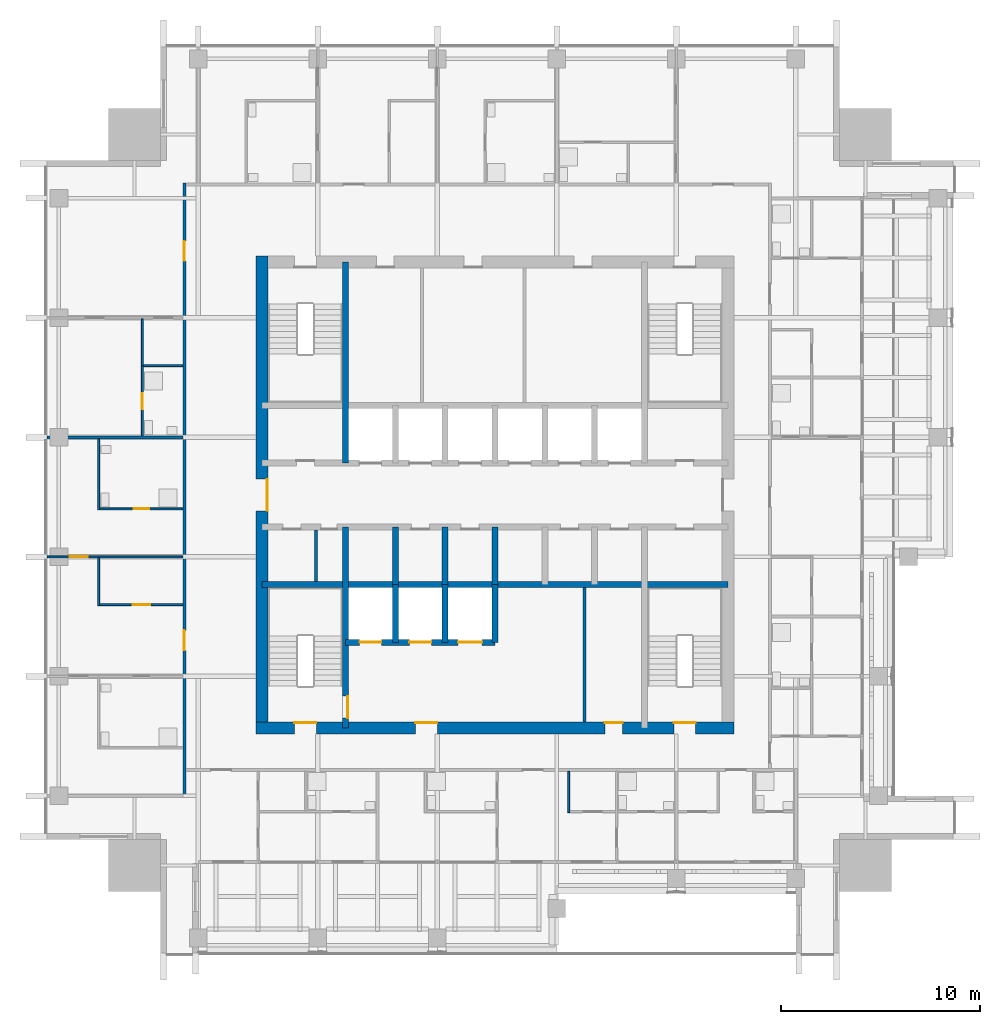
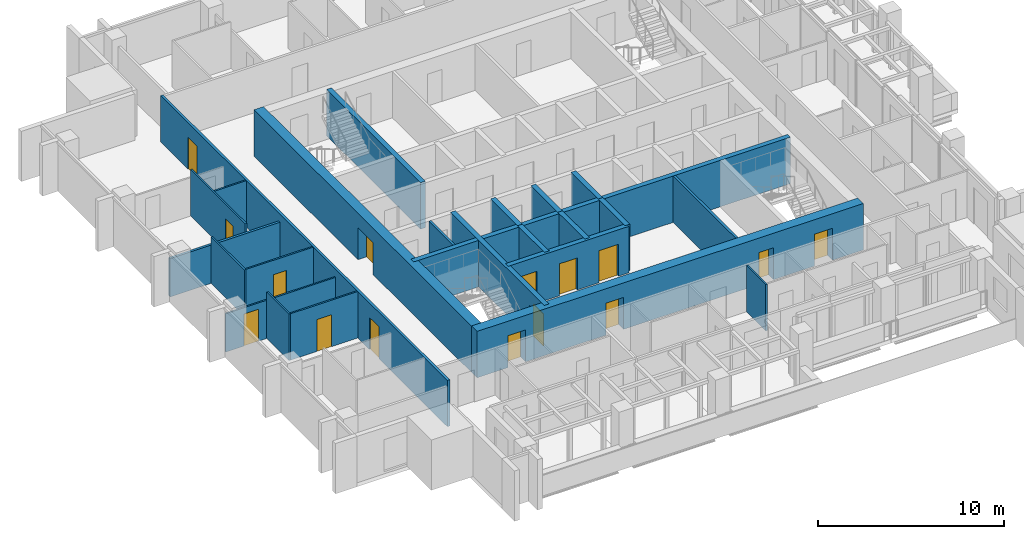
# One storey, part 9 of 17: 24 walls, 15 doors, 15 openings.
"""IFC4 building model written with IfcOpenShell, lengths in metres."""

from ifc_helpers import new_model, si_unit, direction, frame, frame_2d, origin, place, context, subcontext, project, spatial, rectangle, extrude, material, layer, layer_set, type_object, element, fill, save


model = new_model("IFC4")

# Units and contexts
model_context = context("Model", 3, precision=1e-05, world=origin(), true_north=direction((0.0, 1.0)))
body_context = subcontext(model_context, "Body", "Model", "MODEL_VIEW")
ifc_project = project(units=[si_unit("LENGTHUNIT", "METRE"), si_unit("AREAUNIT", "SQUARE_METRE"), si_unit("VOLUMEUNIT", "CUBIC_METRE"), si_unit("PLANEANGLEUNIT", "RADIAN"), si_unit("MASSUNIT", "GRAM", prefix="KILO")], contexts=[model_context])

# Site, building, storey
site_placement = place(None, origin())
site = spatial("IfcSite", under=ifc_project, at=site_placement, CompositionType="ELEMENT")
building_placement = place(site_placement, origin())
building = spatial("IfcBuilding", under=site, at=building_placement, Name="Amberfall Residences", CompositionType="ELEMENT")
storey_placement = place(building_placement, frame((0.0, 0.0, 216.699951171875)))
storey = spatial("IfcBuildingStorey", under=building, at=storey_placement, Name="L58", CompositionType="ELEMENT", Elevation=216.699951171875)

# Wall
ifc_material_1 = material(Name="Concrete C55", Category="concrete")
ifc_layer_1 = layer(ifc_material_1, 0.300048828125)
ifc_layer_set_1 = layer_set([ifc_layer_1], Name="Core wall 300 C55")
wall_type_1 = type_object("IfcWallType", Name="Core wall 300 C55", PredefinedType="SHEAR", material=ifc_layer_set_1)
wall_1_placement = place(storey_placement, frame((62.800048828125, 41.0, 0.0), z_axis=(0.0, 0.0, 1.0), x_axis=(1.0, 0.0, 0.0)))
element("IfcWall", 1, at=wall_1_placement, inside=storey, type_object=wall_type_1, Name="Core wall RW8 L58 H75", PredefinedType="SHEAR", context=body_context, shape_type="SweptSolid", body=[
    extrude(rectangle(XDim=23.39990234375, YDim=0.300048828125, at=frame_2d((11.699951171875, 0.0))), origin(), (0.0, 0.0, 1.0), 3.050048828125),
])

# Wall, opening, door
wall_2_placement = place(storey_placement, frame((67.0, 33.800048828125, 0.0), z_axis=(0.0, 0.0, 1.0), x_axis=(0.0, 1.0, 0.0)))
wall_2 = element("IfcWall", 2, at=wall_2_placement, inside=storey, type_object=wall_type_1, Name="Core wall RW8 L58 V45S", PredefinedType="SHEAR", context=body_context, shape_type="SweptSolid", body=[
    extrude(rectangle(XDim=10.099853515625, YDim=0.300048828125, at=frame_2d((5.0498046875, 0.0))), origin(), (0.0, 0.0, 1.0), 3.050048828125),
])
opening_1_placement = place(wall_2_placement, frame((0.5, 0.0, 0.0)))
opening_1 = element("IfcOpeningElement", 3, at=opening_1_placement, cuts=wall_2, Name="Opening FL1", PredefinedType="OPENING", context=body_context, shape_type="SweptSolid", body=[
    extrude(rectangle(XDim=1.10009765625, YDim=2.10009765625, at=frame_2d((0.550048828125, 1.050048828125))), frame((0.0, 0.159912109375, 0.0), z_axis=(0.0, -1.0, 0.0), x_axis=(1.0, 0.0, 0.0)), (0.0, 0.0, 1.0), 0.320068359375),
])
ifc_material_2 = material(Name="Steel fire door set", Category="steel")
door_type_1 = type_object("IfcDoorType", Name="Firefighting lobby door 1100 x 2100", OperationType="SINGLE_SWING_LEFT", PredefinedType="DOOR", material=ifc_material_2)
door_1_placement = place(opening_1_placement, origin())
door_1 = element("IfcDoor", 4, at=door_1_placement, inside=storey, type_object=door_type_1, Name="FL1 L58", OperationType="SINGLE_SWING_RIGHT", OverallHeight=2.10009765625, OverallWidth=1.10009765625, PredefinedType="DOOR", context=body_context, shape_type="SweptSolid", body=[
    extrude(rectangle(XDim=1.10009765625, YDim=2.10009765625, at=frame_2d((0.550048828125, 1.050048828125))), frame((0.0, -0.08740234375, 0.0), z_axis=(0.0, -1.0, 0.0), x_axis=(1.0, 0.0, 0.0)), (0.0, 0.0, 1.0), 0.050048828125),
])
fill(opening_1, door_1)

# Walls
wall_3_placement = place(storey_placement, frame((67.0, 47.10009765625, 0.0), z_axis=(0.0, 0.0, 1.0), x_axis=(0.0, 1.0, 0.0)))
element("IfcWall", 5, at=wall_3_placement, inside=storey, type_object=wall_type_1, Name="Core wall RW8 L58 V45N", PredefinedType="SHEAR", context=body_context, shape_type="SweptSolid", body=[
    extrude(rectangle(XDim=10.099853515625, YDim=0.300048828125, at=frame_2d((5.0498046875, 0.0))), origin(), (0.0, 0.0, 1.0), 3.050048828125),
])
for number, where, z_axis, x_axis, name in (
    (6, (69.5, 41.0, 0.0), (0.0, 0.0, 1.0), (0.0, 1.0, 0.0), "Core wall RW8 L58 LPD1"),
    (7, (72.0, 41.0, 0.0), (0.0, 0.0, 1.0), (0.0, 1.0, 0.0), "Core wall RW8 L58 LPD2"),
    (8, (74.5, 41.0, 0.0), (0.0, 0.0, 1.0), (0.0, 1.0, 0.0), "Core wall RW8 L58 LPD3"),
):
    element("IfcWall", number, at=place(storey_placement, frame(where, z_axis=z_axis, x_axis=x_axis)), inside=storey, type_object=wall_type_1, Name=name, PredefinedType="SHEAR", context=body_context, shape_type="SweptSolid", body=[
        extrude(rectangle(XDim=2.89990234375, YDim=0.300048828125, at=frame_2d((1.449951171875, 0.0))), origin(), (0.0, 0.0, 1.0), 3.050048828125),
    ])

# Wall, openings, doors
wall_4_placement = place(storey_placement, frame((67.0, 38.10009765625, 0.0), z_axis=(0.0, 0.0, 1.0), x_axis=(1.0, 0.0, 0.0)))
wall_4 = element("IfcWall", 9, at=wall_4_placement, inside=storey, type_object=wall_type_1, Name="Core wall RW8 L58 FFF", PredefinedType="SHEAR", context=body_context, shape_type="SweptSolid", body=[
    extrude(rectangle(XDim=7.5, YDim=0.300048828125, at=frame_2d((3.75, 0.0))), origin(), (0.0, 0.0, 1.0), 3.050048828125),
])
opening_2_placement = place(wall_4_placement, frame((0.699951171875, 0.0, 0.0)))
opening_2 = element("IfcOpeningElement", 10, at=opening_2_placement, cuts=wall_4, Name="Opening LD2", PredefinedType="OPENING", context=body_context, shape_type="SweptSolid", body=[
    extrude(rectangle(XDim=1.10009765625, YDim=2.10009765625, at=frame_2d((0.550048828125, 1.050048828125))), frame((0.0, 0.159912109375, 0.0), z_axis=(0.0, -1.0, 0.0), x_axis=(1.0, 0.0, 0.0)), (0.0, 0.0, 1.0), 0.320068359375),
])
opening_3_placement = place(wall_4_placement, frame((3.199951171875, 0.0, 0.0)))
opening_3 = element("IfcOpeningElement", 11, at=opening_3_placement, cuts=wall_4, Name="Opening LD2", PredefinedType="OPENING", context=body_context, shape_type="SweptSolid", body=[
    extrude(rectangle(XDim=1.10009765625, YDim=2.10009765625, at=frame_2d((0.550048828125, 1.050048828125))), frame((0.0, 0.159912109375, 0.0), z_axis=(0.0, -1.0, 0.0), x_axis=(1.0, 0.0, 0.0)), (0.0, 0.0, 1.0), 0.320068359375),
])
opening_4_placement = place(wall_4_placement, frame((5.64990234375, 0.0, 0.0)))
opening_4 = element("IfcOpeningElement", 12, at=opening_4_placement, cuts=wall_4, Name="Opening LD3", PredefinedType="OPENING", context=body_context, shape_type="SweptSolid", body=[
    extrude(rectangle(XDim=1.199951171875, YDim=2.10009765625, at=frame_2d((0.60009765625, 1.050048828125))), frame((0.0, 0.159912109375, 0.0), z_axis=(0.0, -1.0, 0.0), x_axis=(1.0, 0.0, 0.0)), (0.0, 0.0, 1.0), 0.320068359375),
])
door_type_2 = type_object("IfcDoorType", Name="Firefighting lift landing door 1100 x 2100", OperationType="DOUBLE_DOOR_SLIDING", PredefinedType="DOOR", material=ifc_material_2)
door_2_placement = place(opening_2_placement, origin())
door_2 = element("IfcDoor", 13, at=door_2_placement, inside=storey, type_object=door_type_2, Name="Landing door FF1 L58", OperationType="DOUBLE_DOOR_SLIDING", OverallHeight=2.10009765625, OverallWidth=1.10009765625, PredefinedType="DOOR", context=body_context, shape_type="SweptSolid", body=[
    extrude(rectangle(XDim=1.10009765625, YDim=2.10009765625, at=frame_2d((0.550048828125, 1.050048828125))), frame((0.0, 0.02490234375, 0.0), z_axis=(0.0, -1.0, 0.0), x_axis=(1.0, 0.0, 0.0)), (0.0, 0.0, 1.0), 0.050048828125),
])
fill(opening_2, door_2)
door_3_placement = place(opening_3_placement, origin())
door_3 = element("IfcDoor", 14, at=door_3_placement, inside=storey, type_object=door_type_2, Name="Landing door FF2 L58", OperationType="DOUBLE_DOOR_SLIDING", OverallHeight=2.10009765625, OverallWidth=1.10009765625, PredefinedType="DOOR", context=body_context, shape_type="SweptSolid", body=[
    extrude(rectangle(XDim=1.10009765625, YDim=2.10009765625, at=frame_2d((0.550048828125, 1.050048828125))), frame((0.0, 0.02490234375, 0.0), z_axis=(0.0, -1.0, 0.0), x_axis=(1.0, 0.0, 0.0)), (0.0, 0.0, 1.0), 0.050048828125),
])
fill(opening_3, door_3)
door_type_3 = type_object("IfcDoorType", Name="Service lift landing door 1200 x 2100", OperationType="DOUBLE_DOOR_SLIDING", PredefinedType="DOOR", material=ifc_material_2)
door_4_placement = place(opening_4_placement, origin())
door_4 = element("IfcDoor", 15, at=door_4_placement, inside=storey, type_object=door_type_3, Name="Landing door SL1 L58", OperationType="DOUBLE_DOOR_SLIDING", OverallHeight=2.10009765625, OverallWidth=1.199951171875, PredefinedType="DOOR", context=body_context, shape_type="SweptSolid", body=[
    extrude(rectangle(XDim=1.199951171875, YDim=2.10009765625, at=frame_2d((0.60009765625, 1.050048828125))), frame((0.0, 0.02490234375, 0.0), z_axis=(0.0, -1.0, 0.0), x_axis=(1.0, 0.0, 0.0)), (0.0, 0.0, 1.0), 0.050048828125),
])
fill(opening_4, door_4)

# Walls
for number, where, z_axis, x_axis, name in (
    (16, (69.5, 38.10009765625, 0.0), (0.0, 0.0, 1.0), (0.0, 1.0, 0.0), "Core wall RW8 L58 FFD1"),
    (17, (72.0, 38.10009765625, 0.0), (0.0, 0.0, 1.0), (0.0, 1.0, 0.0), "Core wall RW8 L58 FFD2"),
    (18, (74.5, 38.10009765625, 0.0), (0.0, 0.0, 1.0), (0.0, 1.0, 0.0), "Core wall RW8 L58 FFD3"),
):
    element("IfcWall", number, at=place(storey_placement, frame(where, z_axis=z_axis, x_axis=x_axis)), inside=storey, type_object=wall_type_1, Name=name, PredefinedType="SHEAR", context=body_context, shape_type="SweptSolid", body=[
        extrude(rectangle(XDim=2.89990234375, YDim=0.300048828125, at=frame_2d((1.449951171875, 0.0))), origin(), (0.0, 0.0, 1.0), 3.050048828125),
    ])

# Wall, openings, doors
ifc_layer_2 = layer(ifc_material_1, 0.60009765625)
ifc_layer_set_2 = layer_set([ifc_layer_2], Name="Core wall 600 C55")
wall_type_2 = type_object("IfcWallType", Name="Core wall 600 C55", PredefinedType="SHEAR", material=ifc_layer_set_2)
wall_5_placement = place(storey_placement, frame((62.5, 33.800048828125, 0.0), z_axis=(0.0, 0.0, 1.0), x_axis=(1.0, 0.0, 0.0)))
wall_5 = element("IfcWall", 19, at=wall_5_placement, inside=storey, type_object=wall_type_2, Name="Core wall RW7 L58 OS", PredefinedType="SHEAR", context=body_context, shape_type="SweptSolid", body=[
    extrude(rectangle(XDim=24.0, YDim=0.60009765625, at=frame_2d((12.0, 0.0))), origin(), (0.0, 0.0, 1.0), 3.050048828125),
])
opening_5_placement = place(wall_5_placement, frame((1.925048828125, 0.0, 0.0)))
opening_5 = element("IfcOpeningElement", 20, at=opening_5_placement, cuts=wall_5, Name="Opening SD1", PredefinedType="OPENING", context=body_context, shape_type="SweptSolid", body=[
    extrude(rectangle(XDim=1.10009765625, YDim=2.10009765625, at=frame_2d((0.550048828125, 1.050048828125))), frame((0.0, 0.31005859375, 0.0), z_axis=(0.0, -1.0, 0.0), x_axis=(1.0, 0.0, 0.0)), (0.0, 0.0, 1.0), 0.6201171875),
])
opening_6_placement = place(wall_5_placement, frame((20.97509765625, 0.0, 0.0)))
opening_6 = element("IfcOpeningElement", 21, at=opening_6_placement, cuts=wall_5, Name="Opening SD1", PredefinedType="OPENING", context=body_context, shape_type="SweptSolid", body=[
    extrude(rectangle(XDim=1.10009765625, YDim=2.10009765625, at=frame_2d((0.550048828125, 1.050048828125))), frame((0.0, 0.31005859375, 0.0), z_axis=(0.0, -1.0, 0.0), x_axis=(1.0, 0.0, 0.0)), (0.0, 0.0, 1.0), 0.6201171875),
])
opening_7_placement = place(wall_5_placement, frame((8.0, 0.0, 0.0)))
opening_7 = element("IfcOpeningElement", 22, at=opening_7_placement, cuts=wall_5, Name="Opening FL1", PredefinedType="OPENING", context=body_context, shape_type="SweptSolid", body=[
    extrude(rectangle(XDim=1.10009765625, YDim=2.10009765625, at=frame_2d((0.550048828125, 1.050048828125))), frame((0.0, 0.31005859375, 0.0), z_axis=(0.0, -1.0, 0.0), x_axis=(1.0, 0.0, 0.0)), (0.0, 0.0, 1.0), 0.6201171875),
])
opening_8_placement = place(wall_5_placement, frame((17.512451171875, 0.0, 0.0)))
opening_8 = element("IfcOpeningElement", 23, at=opening_8_placement, cuts=wall_5, Name="Opening RD1", PredefinedType="OPENING", context=body_context, shape_type="SweptSolid", body=[
    extrude(rectangle(XDim=0.89990234375, YDim=2.10009765625, at=frame_2d((0.449951171875, 1.050048828125))), frame((0.0, 0.31005859375, 0.0), z_axis=(0.0, -1.0, 0.0), x_axis=(1.0, 0.0, 0.0)), (0.0, 0.0, 1.0), 0.6201171875),
])
door_5_placement = place(opening_7_placement, origin())
door_5 = element("IfcDoor", 24, at=door_5_placement, inside=storey, type_object=door_type_1, Name="FL1 L58", OperationType="SINGLE_SWING_LEFT", OverallHeight=2.10009765625, OverallWidth=1.10009765625, PredefinedType="DOOR", context=body_context, shape_type="SweptSolid", body=[
    extrude(rectangle(XDim=1.10009765625, YDim=2.10009765625, at=frame_2d((0.550048828125, 1.050048828125))), frame((0.0, 0.28759765625, 0.0), z_axis=(0.0, -1.0, 0.0), x_axis=(1.0, 0.0, 0.0)), (0.0, 0.0, 1.0), 0.050048828125),
])
fill(opening_7, door_5)
door_type_4 = type_object("IfcDoorType", Name="Service room door 900 x 2100", OperationType="SINGLE_SWING_LEFT", PredefinedType="DOOR", material=ifc_material_2)
door_6_placement = place(opening_8_placement, origin())
door_6 = element("IfcDoor", 25, at=door_6_placement, inside=storey, type_object=door_type_4, Name="RD1 L58", OperationType="SINGLE_SWING_LEFT", OverallHeight=2.10009765625, OverallWidth=0.89990234375, PredefinedType="DOOR", context=body_context, shape_type="SweptSolid", body=[
    extrude(rectangle(XDim=0.89990234375, YDim=2.10009765625, at=frame_2d((0.449951171875, 1.050048828125))), frame((0.0, 0.28759765625, 0.0), z_axis=(0.0, -1.0, 0.0), x_axis=(1.0, 0.0, 0.0)), (0.0, 0.0, 1.0), 0.050048828125),
])
fill(opening_8, door_6)
door_type_5 = type_object("IfcDoorType", Name="Stair door 1100 x 2100", OperationType="SINGLE_SWING_LEFT", PredefinedType="DOOR", material=ifc_material_2)
door_7_placement = place(opening_5_placement, origin())
door_7 = element("IfcDoor", 26, at=door_7_placement, inside=storey, type_object=door_type_5, Name="SD1 L58", OperationType="SINGLE_SWING_LEFT", OverallHeight=2.10009765625, OverallWidth=1.10009765625, PredefinedType="DOOR", context=body_context, shape_type="SweptSolid", body=[
    extrude(rectangle(XDim=1.10009765625, YDim=2.10009765625, at=frame_2d((0.550048828125, 1.050048828125))), frame((0.0, 0.28759765625, 0.0), z_axis=(0.0, -1.0, 0.0), x_axis=(1.0, 0.0, 0.0)), (0.0, 0.0, 1.0), 0.050048828125),
])
fill(opening_5, door_7)
door_8_placement = place(opening_6_placement, origin())
door_8 = element("IfcDoor", 27, at=door_8_placement, inside=storey, type_object=door_type_5, Name="SD1 L58", OperationType="SINGLE_SWING_RIGHT", OverallHeight=2.10009765625, OverallWidth=1.10009765625, PredefinedType="DOOR", context=body_context, shape_type="SweptSolid", body=[
    extrude(rectangle(XDim=1.10009765625, YDim=2.10009765625, at=frame_2d((0.550048828125, 1.050048828125))), frame((0.0, 0.28759765625, 0.0), z_axis=(0.0, -1.0, 0.0), x_axis=(1.0, 0.0, 0.0)), (0.0, 0.0, 1.0), 0.050048828125),
])
fill(opening_6, door_8)

# Wall, opening, door
wall_6_placement = place(storey_placement, frame((62.800048828125, 33.5, 0.0), z_axis=(0.0, 0.0, 1.0), x_axis=(0.0, 1.0, 0.0)))
wall_6 = element("IfcWall", 28, at=wall_6_placement, inside=storey, type_object=wall_type_2, Name="Core wall RW7 L58 OW", PredefinedType="SHEAR", context=body_context, shape_type="SweptSolid", body=[
    extrude(rectangle(XDim=24.0, YDim=0.60009765625, at=frame_2d((12.0, 0.0))), origin(), (0.0, 0.0, 1.0), 3.050048828125),
])
opening_9_placement = place(wall_6_placement, frame((11.199951171875, 0.0, 0.0)))
opening_9 = element("IfcOpeningElement", 29, at=opening_9_placement, cuts=wall_6, Name="Opening LB1", PredefinedType="OPENING", context=body_context, shape_type="SweptSolid", body=[
    extrude(rectangle(XDim=1.60009765625, YDim=2.10009765625, at=frame_2d((0.800048828125, 1.050048828125))), frame((0.0, 0.31005859375, 0.0), z_axis=(0.0, -1.0, 0.0), x_axis=(1.0, 0.0, 0.0)), (0.0, 0.0, 1.0), 0.6201171875),
])
door_type_6 = type_object("IfcDoorType", Name="Lift lobby double door 1600 x 2100", OperationType="DOUBLE_DOOR_SINGLE_SWING", PredefinedType="DOOR", material=ifc_material_2)
door_9_placement = place(opening_9_placement, origin())
door_9 = element("IfcDoor", 30, at=door_9_placement, inside=storey, type_object=door_type_6, Name="LB1 L58", OperationType="DOUBLE_DOOR_SINGLE_SWING", OverallHeight=2.10009765625, OverallWidth=1.60009765625, PredefinedType="DOOR", context=body_context, shape_type="SweptSolid", body=[
    extrude(rectangle(XDim=1.60009765625, YDim=2.10009765625, at=frame_2d((0.800048828125, 1.050048828125))), frame((0.0, -0.2373046875, 0.0), z_axis=(0.0, -1.0, 0.0), x_axis=(1.0, 0.0, 0.0)), (0.0, 0.0, 1.0), 0.050048828125),
])
fill(opening_9, door_9)

# Walls
ifc_material_3 = material(Name="Gypsum board on metal stud")
ifc_layer_3 = layer(ifc_material_3, 0.10009765625)
ifc_layer_set_3 = layer_set([ifc_layer_3], Name="Flat partition 100")
wall_type_3 = type_object("IfcWallType", Name="Flat partition 100", PredefinedType="PARTITIONING", material=ifc_layer_set_3)
wall_7_placement = place(storey_placement, frame((54.60009765625, 39.949951171875, 0.0), z_axis=(0.0, 0.0, 1.0), x_axis=(0.0, 1.0, 0.0)))
element("IfcWall", 31, at=wall_7_placement, inside=storey, type_object=wall_type_3, Name="Partition 002", PredefinedType="PARTITIONING", context=body_context, shape_type="SweptSolid", body=[
    extrude(rectangle(XDim=2.400146484375, YDim=0.10009765625, at=frame_2d((1.2001953125, 0.0))), origin(), (0.0, 0.0, 1.0), 3.050048828125),
])
wall_8_placement = place(storey_placement, frame((54.60009765625, 44.75, 0.0), z_axis=(0.0, 0.0, 1.0), x_axis=(0.0, 1.0, 0.0)))
element("IfcWall", 32, at=wall_8_placement, inside=storey, type_object=wall_type_3, Name="Partition 003", PredefinedType="PARTITIONING", context=body_context, shape_type="SweptSolid", body=[
    extrude(rectangle(XDim=3.574951171875, YDim=0.10009765625, at=frame_2d((1.78759765625, 0.0))), origin(), (0.0, 0.0, 1.0), 3.050048828125),
])

# Wall, opening, door
wall_9_placement = place(storey_placement, frame((56.800048828125, 54.35009765625, 0.0), z_axis=(0.0, 0.0, 1.0), x_axis=(0.0, -1.0, 0.0)))
wall_9 = element("IfcWall", 33, at=wall_9_placement, inside=storey, type_object=wall_type_3, Name="Partition 004", PredefinedType="PARTITIONING", context=body_context, shape_type="SweptSolid", body=[
    extrude(rectangle(XDim=5.875, YDim=0.10009765625, at=frame_2d((2.9375, 0.0))), origin(), (0.0, 0.0, 1.0), 3.050048828125),
])
opening_10_placement = place(wall_9_placement, frame((3.75, 0.0, 0.0)))
opening_10 = element("IfcOpeningElement", 34, at=opening_10_placement, cuts=wall_9, Name="Opening D42", PredefinedType="OPENING", context=body_context, shape_type="SweptSolid", body=[
    extrude(rectangle(XDim=0.800048828125, YDim=2.10009765625, at=frame_2d((0.39990234375, 1.050048828125))), frame((0.0, 0.06005859375, 0.0), z_axis=(0.0, -1.0, 0.0), x_axis=(1.0, 0.0, 0.0)), (0.0, 0.0, 1.0), 0.1201171875),
])
ifc_material_4 = material(Name="Timber", Category="wood")
door_type_7 = type_object("IfcDoorType", Name="Bathroom door 800 x 2100", OperationType="SINGLE_SWING_LEFT", PredefinedType="DOOR", material=ifc_material_4)
door_10_placement = place(opening_10_placement, origin())
door_10 = element("IfcDoor", 35, at=door_10_placement, inside=storey, type_object=door_type_7, Name="Door 5810 bath1", OperationType="SINGLE_SWING_LEFT", OverallHeight=2.10009765625, OverallWidth=0.800048828125, PredefinedType="DOOR", context=body_context, shape_type="SweptSolid", body=[
    extrude(rectangle(XDim=0.800048828125, YDim=2.10009765625, at=frame_2d((0.39990234375, 1.050048828125))), frame((0.0, 0.02490234375, 0.0), z_axis=(0.0, -1.0, 0.0), x_axis=(1.0, 0.0, 0.0)), (0.0, 0.0, 1.0), 0.050048828125),
])
fill(opening_10, door_10)

# Walls
wall_10_placement = place(storey_placement, frame((78.199951171875, 29.550048828125, 0.0), z_axis=(0.0, 0.0, 1.0), x_axis=(0.0, 1.0, 0.0)))
element("IfcWall", 36, at=wall_10_placement, inside=storey, type_object=wall_type_3, Name="Partition 014", PredefinedType="PARTITIONING", context=body_context, shape_type="SweptSolid", body=[
    extrude(rectangle(XDim=2.074951171875, YDim=0.10009765625, at=frame_2d((1.03759765625, 0.0))), origin(), (0.0, 0.0, 1.0), 3.050048828125),
])
wall_11_placement = place(storey_placement, frame((56.85009765625, 52.0, 0.0), z_axis=(0.0, 0.0, 1.0), x_axis=(1.0, 0.0, 0.0)))
element("IfcWall", 37, at=wall_11_placement, inside=storey, type_object=wall_type_3, Name="Partition 030", PredefinedType="PARTITIONING", context=body_context, shape_type="SweptSolid", body=[
    extrude(rectangle(XDim=1.974853515625, YDim=0.10009765625, at=frame_2d((0.9873046875, 0.0))), origin(), (0.0, 0.0, 1.0), 3.050048828125),
])

# Wall, opening, door
wall_12_placement = place(storey_placement, frame((54.64990234375, 44.800048828125, 0.0), z_axis=(0.0, 0.0, 1.0), x_axis=(1.0, 0.0, 0.0)))
wall_12 = element("IfcWall", 38, at=wall_12_placement, inside=storey, type_object=wall_type_3, Name="Partition 032", PredefinedType="PARTITIONING", context=body_context, shape_type="SweptSolid", body=[
    extrude(rectangle(XDim=4.175048828125, YDim=0.10009765625, at=frame_2d((2.08740234375, 0.0))), origin(), (0.0, 0.0, 1.0), 3.050048828125),
])
opening_11_placement = place(wall_12_placement, frame((1.699951171875, 0.0, 0.0)))
opening_11 = element("IfcOpeningElement", 39, at=opening_11_placement, cuts=wall_12, Name="Opening D42", PredefinedType="OPENING", context=body_context, shape_type="SweptSolid", body=[
    extrude(rectangle(XDim=0.800048828125, YDim=2.10009765625, at=frame_2d((0.39990234375, 1.050048828125))), frame((0.0, 0.06005859375, 0.0), z_axis=(0.0, -1.0, 0.0), x_axis=(1.0, 0.0, 0.0)), (0.0, 0.0, 1.0), 0.1201171875),
])
door_11_placement = place(opening_11_placement, origin())
door_11 = element("IfcDoor", 40, at=door_11_placement, inside=storey, type_object=door_type_7, Name="Door 5809 bath2", OperationType="SINGLE_SWING_LEFT", OverallHeight=2.10009765625, OverallWidth=0.800048828125, PredefinedType="DOOR", context=body_context, shape_type="SweptSolid", body=[
    extrude(rectangle(XDim=0.800048828125, YDim=2.10009765625, at=frame_2d((0.39990234375, 1.050048828125))), frame((0.0, 0.02490234375, 0.0), z_axis=(0.0, -1.0, 0.0), x_axis=(1.0, 0.0, 0.0)), (0.0, 0.0, 1.0), 0.050048828125),
])
fill(opening_11, door_11)

wall_13_placement = place(storey_placement, frame((52.0, 42.39990234375, 0.0), z_axis=(0.0, 0.0, 1.0), x_axis=(1.0, 0.0, 0.0)))
wall_13 = element("IfcWall", 41, at=wall_13_placement, inside=storey, type_object=wall_type_3, Name="Partition 033", PredefinedType="PARTITIONING", context=body_context, shape_type="SweptSolid", body=[
    extrude(rectangle(XDim=6.824951171875, YDim=0.10009765625, at=frame_2d((3.41259765625, 0.0))), origin(), (0.0, 0.0, 1.0), 2.51611328125),
])
opening_12_placement = place(wall_13_placement, frame((1.14990234375, 0.0, 0.0)))
opening_12 = element("IfcOpeningElement", 42, at=opening_12_placement, cuts=wall_13, Name="Opening D41", PredefinedType="OPENING", context=body_context, shape_type="SweptSolid", body=[
    extrude(rectangle(XDim=0.89990234375, YDim=2.10009765625, at=frame_2d((0.449951171875, 1.050048828125))), frame((0.0, 0.06005859375, 0.0), z_axis=(0.0, -1.0, 0.0), x_axis=(1.0, 0.0, 0.0)), (0.0, 0.0, 1.0), 0.1201171875),
])
door_type_8 = type_object("IfcDoorType", Name="Internal door 900 x 2100", OperationType="SINGLE_SWING_LEFT", PredefinedType="DOOR", material=ifc_material_4)
door_12_placement = place(opening_12_placement, origin())
door_12 = element("IfcDoor", 43, at=door_12_placement, inside=storey, type_object=door_type_8, Name="Door 5809 bedroom2", OperationType="SINGLE_SWING_LEFT", OverallHeight=2.10009765625, OverallWidth=0.89990234375, PredefinedType="DOOR", context=body_context, shape_type="SweptSolid", body=[
    extrude(rectangle(XDim=0.89990234375, YDim=2.10009765625, at=frame_2d((0.449951171875, 1.050048828125))), frame((0.0, 0.02490234375, 0.0), z_axis=(0.0, -1.0, 0.0), x_axis=(1.0, 0.0, 0.0)), (0.0, 0.0, 1.0), 0.050048828125),
])
fill(opening_12, door_12)

wall_14_placement = place(storey_placement, frame((54.64990234375, 40.0, 0.0), z_axis=(0.0, 0.0, 1.0), x_axis=(1.0, 0.0, 0.0)))
wall_14 = element("IfcWall", 44, at=wall_14_placement, inside=storey, type_object=wall_type_3, Name="Partition 035", PredefinedType="PARTITIONING", context=body_context, shape_type="SweptSolid", body=[
    extrude(rectangle(XDim=4.175048828125, YDim=0.10009765625, at=frame_2d((2.08740234375, 0.0))), origin(), (0.0, 0.0, 1.0), 3.050048828125),
])
opening_13_placement = place(wall_14_placement, frame((1.64990234375, 0.0, 0.0)))
opening_13 = element("IfcOpeningElement", 45, at=opening_13_placement, cuts=wall_14, Name="Opening D41", PredefinedType="OPENING", context=body_context, shape_type="SweptSolid", body=[
    extrude(rectangle(XDim=0.89990234375, YDim=2.10009765625, at=frame_2d((0.449951171875, 1.050048828125))), frame((0.0, 0.06005859375, 0.0), z_axis=(0.0, -1.0, 0.0), x_axis=(1.0, 0.0, 0.0)), (0.0, 0.0, 1.0), 0.1201171875),
])
door_13_placement = place(opening_13_placement, origin())
door_13 = element("IfcDoor", 46, at=door_13_placement, inside=storey, type_object=door_type_8, Name="Door 5809 kitchen", OperationType="SINGLE_SWING_LEFT", OverallHeight=2.10009765625, OverallWidth=0.89990234375, PredefinedType="DOOR", context=body_context, shape_type="SweptSolid", body=[
    extrude(rectangle(XDim=0.89990234375, YDim=2.10009765625, at=frame_2d((0.449951171875, 1.050048828125))), frame((0.0, 0.02490234375, 0.0), z_axis=(0.0, -1.0, 0.0), x_axis=(1.0, 0.0, 0.0)), (0.0, 0.0, 1.0), 0.050048828125),
])
fill(opening_13, door_13)

# Wall, openings, doors
ifc_material_5 = material(Name="Blockwork, plastered", Category="masonry")
ifc_layer_4 = layer(ifc_material_5, 0.14990234375)
ifc_layer_set_4 = layer_set([ifc_layer_4], Name="Flat separating wall 150")
wall_type_4 = type_object("IfcWallType", Name="Flat separating wall 150", PredefinedType="PARTITIONING", material=ifc_layer_set_4)
wall_15_placement = place(storey_placement, frame((58.89990234375, 30.324951171875, 0.0), z_axis=(0.0, 0.0, 1.0), x_axis=(0.0, 1.0, 0.0)))
wall_15 = element("IfcWall", 47, at=wall_15_placement, inside=storey, type_object=wall_type_4, Name="Separating wall 044", PredefinedType="PARTITIONING", context=body_context, shape_type="SweptSolid", body=[
    extrude(rectangle(XDim=30.85009765625, YDim=0.14990234375, at=frame_2d((15.425048828125, 0.0))), origin(), (0.0, 0.0, 1.0), 3.050048828125),
])
opening_14_placement = place(wall_15_placement, frame((7.375, 0.0, 0.0)))
opening_14 = element("IfcOpeningElement", 48, at=opening_14_placement, cuts=wall_15, Name="Opening D40", PredefinedType="OPENING", context=body_context, shape_type="SweptSolid", body=[
    extrude(rectangle(XDim=1.0, YDim=2.10009765625, at=frame_2d((0.5, 1.050048828125))), frame((0.0, 0.0849609375, 0.0), z_axis=(0.0, -1.0, 0.0), x_axis=(1.0, 0.0, 0.0)), (0.0, 0.0, 1.0), 0.169921875),
])
opening_15_placement = place(wall_15_placement, frame((26.925048828125, 0.0, 0.0)))
opening_15 = element("IfcOpeningElement", 49, at=opening_15_placement, cuts=wall_15, Name="Opening D40", PredefinedType="OPENING", context=body_context, shape_type="SweptSolid", body=[
    extrude(rectangle(XDim=1.0, YDim=2.10009765625, at=frame_2d((0.5, 1.050048828125))), frame((0.0, 0.0849609375, 0.0), z_axis=(0.0, -1.0, 0.0), x_axis=(1.0, 0.0, 0.0)), (0.0, 0.0, 1.0), 0.169921875),
])
ifc_material_6 = material(Name="Timber, fire-rated", Category="wood")
door_type_9 = type_object("IfcDoorType", Name="Flat entrance door FD60 1000 x 2100", OperationType="SINGLE_SWING_LEFT", PredefinedType="DOOR", material=ifc_material_6)
door_14_placement = place(opening_14_placement, origin())
door_14 = element("IfcDoor", 50, at=door_14_placement, inside=storey, type_object=door_type_9, Name="Door 5809 entrance", OperationType="SINGLE_SWING_LEFT", OverallHeight=2.10009765625, OverallWidth=1.0, PredefinedType="DOOR", context=body_context, shape_type="SweptSolid", body=[
    extrude(rectangle(XDim=1.0, YDim=2.10009765625, at=frame_2d((0.5, 1.050048828125))), frame((0.0, 0.02490234375, 0.0), z_axis=(0.0, -1.0, 0.0), x_axis=(1.0, 0.0, 0.0)), (0.0, 0.0, 1.0), 0.050048828125),
])
fill(opening_14, door_14)
door_15_placement = place(opening_15_placement, origin())
door_15 = element("IfcDoor", 51, at=door_15_placement, inside=storey, type_object=door_type_9, Name="Door 5810 entrance", OperationType="SINGLE_SWING_LEFT", OverallHeight=2.10009765625, OverallWidth=1.0, PredefinedType="DOOR", context=body_context, shape_type="SweptSolid", body=[
    extrude(rectangle(XDim=1.0, YDim=2.10009765625, at=frame_2d((0.5, 1.050048828125))), frame((0.0, 0.02490234375, 0.0), z_axis=(0.0, -1.0, 0.0), x_axis=(1.0, 0.0, 0.0)), (0.0, 0.0, 1.0), 0.050048828125),
])
fill(opening_15, door_15)

# Walls
wall_16_placement = place(storey_placement, frame((52.0, 48.39990234375, 0.0), z_axis=(0.0, 0.0, 1.0), x_axis=(1.0, 0.0, 0.0)))
element("IfcWall", 52, at=wall_16_placement, inside=storey, type_object=wall_type_4, Name="Separating wall 054", PredefinedType="PARTITIONING", context=body_context, shape_type="SweptSolid", body=[
    extrude(rectangle(XDim=6.824951171875, YDim=0.14990234375, at=frame_2d((3.41259765625, 0.0))), origin(), (0.0, 0.0, 1.0), 2.51611328125),
])
ifc_material_7 = material(Name="Concrete blockwork", Category="masonry")
ifc_layer_5 = layer(ifc_material_7, 0.14990234375)
ifc_layer_set_5 = layer_set([ifc_layer_5], Name="Riser wall 150")
wall_type_5 = type_object("IfcWallType", Name="Riser wall 150", PredefinedType="PLUMBINGWALL", material=ifc_layer_set_5)
wall_17_placement = place(storey_placement, frame((79.0, 34.10009765625, 0.0), z_axis=(0.0, 0.0, 1.0), x_axis=(0.0, 1.0, 0.0)))
element("IfcWall", 53, at=wall_17_placement, inside=storey, type_object=wall_type_5, Name="L58 core wall PX", PredefinedType="PLUMBINGWALL", context=body_context, shape_type="SweptSolid", body=[
    extrude(rectangle(XDim=6.75, YDim=0.14990234375, at=frame_2d((3.375, 0.0))), origin(), (0.0, 0.0, 1.0), 3.050048828125),
])
wall_18_placement = place(storey_placement, frame((65.5, 41.14990234375, 0.0), z_axis=(0.0, 0.0, 1.0), x_axis=(0.0, 1.0, 0.0)))
element("IfcWall", 54, at=wall_18_placement, inside=storey, type_object=wall_type_5, Name="L58 core wall ASW0", PredefinedType="PLUMBINGWALL", context=body_context, shape_type="SweptSolid", body=[
    extrude(rectangle(XDim=2.60009765625, YDim=0.14990234375, at=frame_2d((1.300048828125, 0.0))), origin(), (0.0, 0.0, 1.0), 3.050048828125),
])

save(model, "model.ifc")
